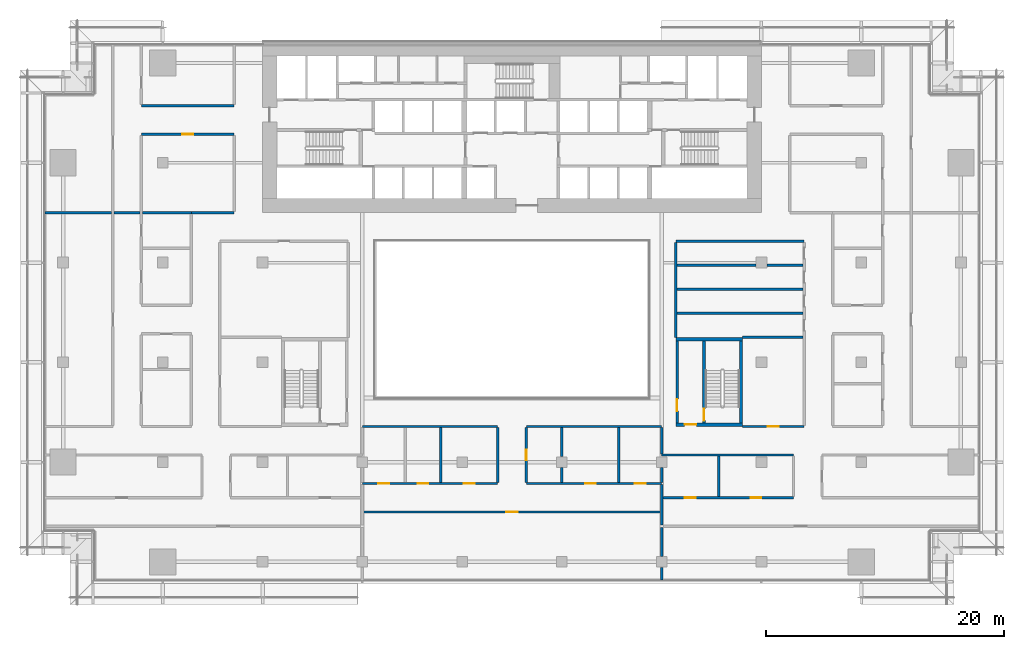
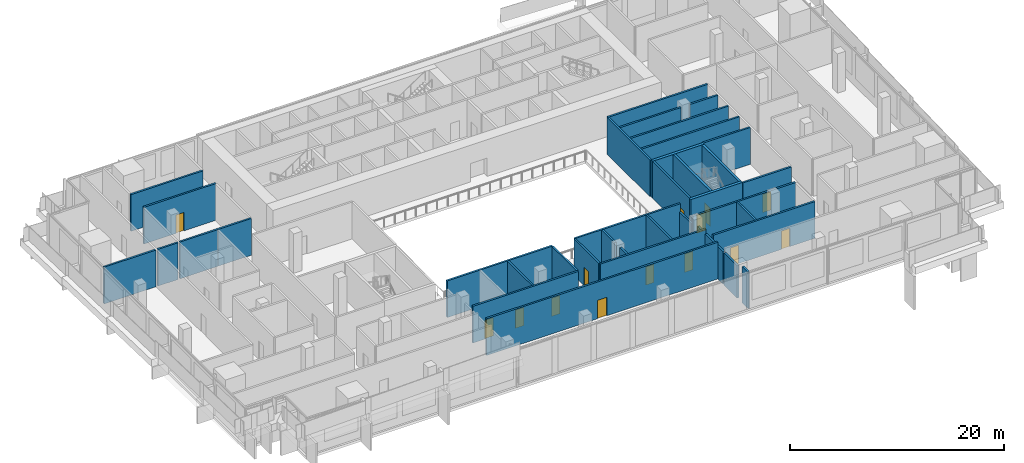
# One storey, part 14 of 23: 38 walls, 14 doors, 14 openings.
"""IFC4 building model written with IfcOpenShell, lengths in metres."""

from ifc_helpers import new_model, si_unit, direction, frame, frame_2d, origin, place, context, subcontext, project, spatial, rectangle, extrude, material, layer, layer_set, type_object, element, fill, save


model = new_model("IFC4")

# Units and contexts
model_context = context("Model", 3, precision=1e-05, world=origin(), true_north=direction((0.0, 1.0)))
body_context = subcontext(model_context, "Body", "Model", "MODEL_VIEW")
ifc_project = project(units=[si_unit("LENGTHUNIT", "METRE"), si_unit("AREAUNIT", "SQUARE_METRE"), si_unit("VOLUMEUNIT", "CUBIC_METRE"), si_unit("PLANEANGLEUNIT", "RADIAN"), si_unit("MASSUNIT", "GRAM", prefix="KILO")], contexts=[model_context])

# Site, building, storey
site_placement = place(None, origin())
site = spatial("IfcSite", under=ifc_project, at=site_placement, CompositionType="ELEMENT")
building_placement = place(site_placement, origin())
building = spatial("IfcBuilding", under=site, at=building_placement, Name="Saffron Gate Tower", CompositionType="ELEMENT")
storey_placement = place(building_placement, frame((0.0, 0.0, 23.699951171875)))
storey = spatial("IfcBuildingStorey", under=building, at=storey_placement, Name="L04", CompositionType="ELEMENT", Elevation=23.699951171875)

# Wall, opening, door
ifc_material_1 = material(Name="Gypsum board partition on steel studs", Category="steel")
ifc_layer_1 = layer(ifc_material_1, 0.199951171875)
ifc_layer_set_1 = layer_set([ifc_layer_1], Name="CW10 Core partition 200")
wall_type_1 = type_object("IfcWallType", Name="CW10 Core partition 200", PredefinedType="PARTITIONING", material=ifc_layer_set_1)
wall_1_placement = place(storey_placement, frame((101.5, 43.5, 0.0), z_axis=(0.0, 0.0, 1.0), x_axis=(0.0, 1.0, 0.0)))
wall_1 = element("IfcWall", 1, at=wall_1_placement, inside=storey, type_object=wall_type_1, Name="Wall CW10-L04-E-2", PredefinedType="PARTITIONING", context=body_context, shape_type="SweptSolid", body=[
    extrude(rectangle(XDim=6.89990234375, YDim=0.199951171875, at=frame_2d((3.449951171875, 0.0))), origin(), (0.0, 0.0, 1.0), 4.199951171875),
])
opening_1_placement = place(wall_1_placement, frame((1.0, 0.0, 0.0)))
opening_1 = element("IfcOpeningElement", 2, at=opening_1_placement, cuts=wall_1, Name="Opening CR-22", PredefinedType="OPENING", context=body_context, shape_type="SweptSolid", body=[
    extrude(rectangle(XDim=1.0, YDim=2.10009765625, at=frame_2d((0.5, 1.050048828125))), frame((0.0, 0.10986328125, 0.0), z_axis=(0.0, -1.0, 0.0), x_axis=(1.0, 0.0, 0.0)), (0.0, 0.0, 1.0), 0.219970703125),
])
ifc_material_2 = material(Name="Steel fire door set", Category="steel")
door_type_1 = type_object("IfcDoorType", Name="CD4 Lobby door 1000x2100 EI 120", OperationType="NOTDEFINED", PredefinedType="DOOR", material=ifc_material_2)
door_1_placement = place(opening_1_placement, origin())
door_1 = element("IfcDoor", 3, at=door_1_placement, inside=storey, type_object=door_type_1, Name="DOOR CR-22", OperationType="SINGLE_SWING_LEFT", OverallHeight=2.10009765625, OverallWidth=1.0, PredefinedType="DOOR", context=body_context, shape_type="SweptSolid", body=[
    extrude(rectangle(XDim=1.0, YDim=2.10009765625, at=frame_2d((0.5, 1.050048828125))), frame((0.0, 0.02490234375, 0.0), z_axis=(0.0, -1.0, 0.0), x_axis=(1.0, 0.0, 0.0)), (0.0, 0.0, 1.0), 0.050048828125),
])
fill(opening_1, door_1)

ifc_material_3 = material(Name="Concrete C70", Category="concrete")
ifc_layer_2 = layer(ifc_material_3, 0.25)
ifc_layer_set_2 = layer_set([ifc_layer_2], Name="CW2 RC core wall 250 C70")
wall_type_2 = type_object("IfcWallType", Name="CW2 RC core wall 250 C70", PredefinedType="SOLIDWALL", material=ifc_layer_set_2)
wall_2_placement = place(storey_placement, frame((103.77490234375, 43.5, 0.0), z_axis=(0.0, 0.0, 1.0), x_axis=(0.0, 1.0, 0.0)))
wall_2 = element("IfcWall", 4, at=wall_2_placement, inside=storey, type_object=wall_type_2, Name="Wall CW2-L04-E-3", PredefinedType="SOLIDWALL", context=body_context, shape_type="SweptSolid", body=[
    extrude(rectangle(XDim=6.89990234375, YDim=0.25, at=frame_2d((3.449951171875, 0.0))), origin(), (0.0, 0.0, 1.0), 4.199951171875),
])
opening_2_placement = place(wall_2_placement, frame((0.199951171875, 0.0, 0.0)))
opening_2 = element("IfcOpeningElement", 5, at=opening_2_placement, cuts=wall_2, Name="Opening CR-23", PredefinedType="OPENING", context=body_context, shape_type="SweptSolid", body=[
    extrude(rectangle(XDim=1.0, YDim=2.10009765625, at=frame_2d((0.5, 1.050048828125))), frame((0.0, 0.135009765625, 0.0), z_axis=(0.0, -1.0, 0.0), x_axis=(1.0, 0.0, 0.0)), (0.0, 0.0, 1.0), 0.27001953125),
])
door_type_2 = type_object("IfcDoorType", Name="CD5 Stair door 1000x2100 EI 120", OperationType="NOTDEFINED", PredefinedType="DOOR", material=ifc_material_2)
door_2_placement = place(opening_2_placement, origin())
door_2 = element("IfcDoor", 6, at=door_2_placement, inside=storey, type_object=door_type_2, Name="DOOR CR-23", OperationType="SINGLE_SWING_RIGHT", OverallHeight=2.10009765625, OverallWidth=1.0, PredefinedType="DOOR", context=body_context, shape_type="SweptSolid", body=[
    extrude(rectangle(XDim=1.0, YDim=2.10009765625, at=frame_2d((0.5, 1.050048828125))), frame((0.0, 0.02490234375, 0.0), z_axis=(0.0, -1.0, 0.0), x_axis=(1.0, 0.0, 0.0)), (0.0, 0.0, 1.0), 0.050048828125),
])
fill(opening_2, door_2)

# Wall
wall_3_placement = place(storey_placement, frame((106.875, 43.5, 0.0), z_axis=(0.0, 0.0, 1.0), x_axis=(0.0, 1.0, 0.0)))
element("IfcWall", 7, at=wall_3_placement, inside=storey, type_object=wall_type_2, Name="Wall CW2-L04-E-4", PredefinedType="SOLIDWALL", context=body_context, shape_type="SweptSolid", body=[
    extrude(rectangle(XDim=6.89990234375, YDim=0.25, at=frame_2d((3.449951171875, 0.0))), origin(), (0.0, 0.0, 1.0), 4.199951171875),
])

# Wall, opening, door
ifc_layer_3 = layer(ifc_material_3, 0.300048828125)
ifc_layer_set_3 = layer_set([ifc_layer_3], Name="CW5 RC core wall 300 C70")
wall_type_3 = type_object("IfcWallType", Name="CW5 RC core wall 300 C70", PredefinedType="SOLIDWALL", material=ifc_layer_set_3)
wall_4_placement = place(storey_placement, frame((101.39990234375, 43.35009765625, 0.0), z_axis=(0.0, 0.0, 1.0), x_axis=(1.0, 0.0, 0.0)))
wall_4 = element("IfcWall", 8, at=wall_4_placement, inside=storey, type_object=wall_type_3, Name="Wall CW5-L04-E-1", PredefinedType="SOLIDWALL", context=body_context, shape_type="SweptSolid", body=[
    extrude(rectangle(XDim=5.60009765625, YDim=0.300048828125, at=frame_2d((2.800048828125, 0.0))), origin(), (0.0, 0.0, 1.0), 4.199951171875),
])
opening_3_placement = place(wall_4_placement, frame((0.72509765625, 0.0, 0.0)))
opening_3 = element("IfcOpeningElement", 9, at=opening_3_placement, cuts=wall_4, Name="Opening CR-21", PredefinedType="OPENING", context=body_context, shape_type="SweptSolid", body=[
    extrude(rectangle(XDim=1.0, YDim=2.10009765625, at=frame_2d((0.5, 1.050048828125))), frame((0.0, 0.16015625, 0.0), z_axis=(0.0, -1.0, 0.0), x_axis=(1.0, 0.0, 0.0)), (0.0, 0.0, 1.0), 0.320068359375),
])
door_3_placement = place(opening_3_placement, origin())
door_3 = element("IfcDoor", 10, at=door_3_placement, inside=storey, type_object=door_type_1, Name="DOOR CR-21", OperationType="SINGLE_SWING_RIGHT", OverallHeight=2.10009765625, OverallWidth=1.0, PredefinedType="DOOR", context=body_context, shape_type="SweptSolid", body=[
    extrude(rectangle(XDim=1.0, YDim=2.10009765625, at=frame_2d((0.5, 1.050048828125))), frame((0.0, 0.02490234375, 0.0), z_axis=(0.0, -1.0, 0.0), x_axis=(1.0, 0.0, 0.0)), (0.0, 0.0, 1.0), 0.050048828125),
])
fill(opening_3, door_3)

# Walls
wall_5_placement = place(storey_placement, frame((101.39990234375, 50.550048828125, 0.0), z_axis=(0.0, 0.0, 1.0), x_axis=(1.0, 0.0, 0.0)))
element("IfcWall", 11, at=wall_5_placement, inside=storey, type_object=wall_type_3, Name="Wall CW5-L04-E-5", PredefinedType="SOLIDWALL", context=body_context, shape_type="SweptSolid", body=[
    extrude(rectangle(XDim=5.60009765625, YDim=0.300048828125, at=frame_2d((2.800048828125, 0.0))), origin(), (0.0, 0.0, 1.0), 4.199951171875),
])
ifc_material_4 = material(Name="Clay brick masonry, rendered", Category="masonry")
ifc_layer_4 = layer(ifc_material_4, 0.199951171875)
ifc_layer_set_4 = layer_set([ifc_layer_4], Name="PW2 Demising wall 200")
wall_type_4 = type_object("IfcWallType", Name="PW2 Demising wall 200", PredefinedType="PARTITIONING", material=ifc_layer_set_4)
wall_6_placement = place(storey_placement, frame((107.0, 50.699951171875, 0.0), z_axis=(0.0, 0.0, 1.0), x_axis=(1.0, 0.0, 0.0)))
element("IfcWall", 12, at=wall_6_placement, inside=storey, type_object=wall_type_4, Name="Wall S2-26", PredefinedType="PARTITIONING", context=body_context, shape_type="SweptSolid", body=[
    extrude(rectangle(XDim=5.10009765625, YDim=0.199951171875, at=frame_2d((2.550048828125, 0.0))), origin(), (0.0, 0.0, 1.0), 4.199951171875),
])
for number, where, z_axis, x_axis, name in (
    (13, (101.5, 52.72509765625, 0.0), (0.0, 0.0, 1.0), (1.0, 0.0, 0.0), "Wall S2-30"),
    (14, (101.5, 54.75, 0.0), (0.0, 0.0, 1.0), (1.0, 0.0, 0.0), "Wall S2-33"),
):
    element("IfcWall", number, at=place(storey_placement, frame(where, z_axis=z_axis, x_axis=x_axis)), inside=storey, type_object=wall_type_4, Name=name, PredefinedType="PARTITIONING", context=body_context, shape_type="SweptSolid", body=[
        extrude(rectangle(XDim=10.60009765625, YDim=0.199951171875, at=frame_2d((5.300048828125, 0.0))), origin(), (0.0, 0.0, 1.0), 4.199951171875),
    ])
wall_7_placement = place(storey_placement, frame((101.5, 56.77490234375, 0.0), z_axis=(0.0, 0.0, 1.0), x_axis=(1.0, 0.0, 0.0)))
element("IfcWall", 15, at=wall_7_placement, inside=storey, type_object=wall_type_4, Name="Wall S2-34", PredefinedType="PARTITIONING", context=body_context, shape_type="SweptSolid", body=[
    extrude(rectangle(XDim=6.6298828125, YDim=0.199951171875, at=frame_2d((3.31494140625, 0.0))), origin(), (0.0, 0.0, 1.0), 4.199951171875),
])
wall_8_placement = place(storey_placement, frame((109.070068359375, 56.77490234375, 0.0), z_axis=(0.0, 0.0, 1.0), x_axis=(1.0, 0.0, 0.0)))
element("IfcWall", 16, at=wall_8_placement, inside=storey, type_object=wall_type_4, Name="Wall S2-35", PredefinedType="PARTITIONING", context=body_context, shape_type="SweptSolid", body=[
    extrude(rectangle(XDim=3.030029296875, YDim=0.199951171875, at=frame_2d((1.51513671875, 0.0))), origin(), (0.0, 0.0, 1.0), 4.199951171875),
])

# Wall, opening, door
ifc_layer_5 = layer(ifc_material_4, 0.199951171875)
ifc_layer_set_5 = layer_set([ifc_layer_5], Name="PW3 Corridor wall 200")
wall_type_5 = type_object("IfcWallType", Name="PW3 Corridor wall 200", PredefinedType="PARTITIONING", material=ifc_layer_set_5)
wall_9_placement = place(storey_placement, frame((100.10009765625, 36.0, 0.0), z_axis=(0.0, 0.0, 1.0), x_axis=(-1.0, 0.0, 0.0)))
wall_9 = element("IfcWall", 17, at=wall_9_placement, inside=storey, type_object=wall_type_5, Name="Wall S2-3", PredefinedType="PARTITIONING", context=body_context, shape_type="SweptSolid", body=[
    extrude(rectangle(XDim=25.0, YDim=0.199951171875, at=frame_2d((12.5, 0.0))), origin(), (0.0, 0.0, 1.0), 4.199951171875),
])
opening_4_placement = place(wall_9_placement, frame((12.0, 0.0, 0.0)))
opening_4 = element("IfcOpeningElement", 18, at=opening_4_placement, cuts=wall_9, Name="Opening S2-33", PredefinedType="OPENING", context=body_context, shape_type="SweptSolid", body=[
    extrude(rectangle(XDim=1.0, YDim=2.10009765625, at=frame_2d((0.5, 1.050048828125))), frame((0.0, 0.10986328125, 0.0), z_axis=(0.0, -1.0, 0.0), x_axis=(1.0, 0.0, 0.0)), (0.0, 0.0, 1.0), 0.219970703125),
])
ifc_material_5 = material(Name="Timber door set", Category="wood")
door_type_3 = type_object("IfcDoorType", Name="HD1 Hall door 1200x2100", OperationType="NOTDEFINED", PredefinedType="DOOR", material=ifc_material_5)
door_4_placement = place(opening_4_placement, origin())
door_4 = element("IfcDoor", 19, at=door_4_placement, inside=storey, type_object=door_type_3, Name="Door S2-33", OperationType="SINGLE_SWING_RIGHT", OverallHeight=2.10009765625, OverallWidth=1.0, PredefinedType="DOOR", context=body_context, shape_type="SweptSolid", body=[
    extrude(rectangle(XDim=1.0, YDim=2.10009765625, at=frame_2d((0.5, 1.050048828125))), frame((0.0, 0.02490234375, 0.0), z_axis=(0.0, -1.0, 0.0), x_axis=(1.0, 0.0, 0.0)), (0.0, 0.0, 1.0), 0.050048828125),
])
fill(opening_4, door_4)

# Wall, openings, doors
wall_10_placement = place(storey_placement, frame((100.300048828125, 37.199951171875, 0.0), z_axis=(0.0, 0.0, 1.0), x_axis=(1.0, 0.0, 0.0)))
wall_10 = element("IfcWall", 20, at=wall_10_placement, inside=storey, type_object=wall_type_5, Name="Wall S2-6", PredefinedType="PARTITIONING", context=body_context, shape_type="SweptSolid", body=[
    extrude(rectangle(XDim=11.0, YDim=0.199951171875, at=frame_2d((5.5, 0.0))), origin(), (0.0, 0.0, 1.0), 4.199951171875),
])
opening_5_placement = place(wall_10_placement, frame((1.85009765625, 0.0, 0.0)))
opening_5 = element("IfcOpeningElement", 21, at=opening_5_placement, cuts=wall_10, Name="Opening S2-15", PredefinedType="OPENING", context=body_context, shape_type="SweptSolid", body=[
    extrude(rectangle(XDim=0.89990234375, YDim=2.10009765625, at=frame_2d((0.449951171875, 1.050048828125))), frame((0.0, 0.10986328125, 0.0), z_axis=(0.0, -1.0, 0.0), x_axis=(1.0, 0.0, 0.0)), (0.0, 0.0, 1.0), 0.219970703125),
])
opening_6_placement = place(wall_10_placement, frame((7.39990234375, 0.0, 0.0)))
opening_6 = element("IfcOpeningElement", 22, at=opening_6_placement, cuts=wall_10, Name="Opening S2-16", PredefinedType="OPENING", context=body_context, shape_type="SweptSolid", body=[
    extrude(rectangle(XDim=0.89990234375, YDim=2.10009765625, at=frame_2d((0.449951171875, 1.050048828125))), frame((0.0, 0.10986328125, 0.0), z_axis=(0.0, -1.0, 0.0), x_axis=(1.0, 0.0, 0.0)), (0.0, 0.0, 1.0), 0.219970703125),
])
door_type_4 = type_object("IfcDoorType", Name="RD1 Room door 900x2100", OperationType="NOTDEFINED", PredefinedType="DOOR", material=ifc_material_5)
door_5_placement = place(opening_5_placement, origin())
door_5 = element("IfcDoor", 23, at=door_5_placement, inside=storey, type_object=door_type_4, Name="Door S2-15", OperationType="SINGLE_SWING_LEFT", OverallHeight=2.10009765625, OverallWidth=0.89990234375, PredefinedType="DOOR", context=body_context, shape_type="SweptSolid", body=[
    extrude(rectangle(XDim=0.89990234375, YDim=2.10009765625, at=frame_2d((0.449951171875, 1.050048828125))), frame((0.0, 0.02490234375, 0.0), z_axis=(0.0, -1.0, 0.0), x_axis=(1.0, 0.0, 0.0)), (0.0, 0.0, 1.0), 0.050048828125),
])
fill(opening_5, door_5)
door_6_placement = place(opening_6_placement, origin())
door_6 = element("IfcDoor", 24, at=door_6_placement, inside=storey, type_object=door_type_4, Name="Door S2-16", OperationType="SINGLE_SWING_LEFT", OverallHeight=2.10009765625, OverallWidth=0.89990234375, PredefinedType="DOOR", context=body_context, shape_type="SweptSolid", body=[
    extrude(rectangle(XDim=0.89990234375, YDim=2.10009765625, at=frame_2d((0.449951171875, 1.050048828125))), frame((0.0, 0.02490234375, 0.0), z_axis=(0.0, -1.0, 0.0), x_axis=(1.0, 0.0, 0.0)), (0.0, 0.0, 1.0), 0.050048828125),
])
fill(opening_6, door_6)

wall_11_placement = place(storey_placement, frame((75.0, 38.39990234375, 0.0), z_axis=(0.0, 0.0, 1.0), x_axis=(1.0, 0.0, 0.0)))
wall_11 = element("IfcWall", 25, at=wall_11_placement, inside=storey, type_object=wall_type_5, Name="Wall S2-8", PredefinedType="PARTITIONING", context=body_context, shape_type="SweptSolid", body=[
    extrude(rectangle(XDim=11.39990234375, YDim=0.199951171875, at=frame_2d((5.699951171875, 0.0))), origin(), (0.0, 0.0, 1.0), 4.199951171875),
])
opening_7_placement = place(wall_11_placement, frame((1.35009765625, 0.0, 0.0)))
opening_7 = element("IfcOpeningElement", 26, at=opening_7_placement, cuts=wall_11, Name="Opening S2-9", PredefinedType="OPENING", context=body_context, shape_type="SweptSolid", body=[
    extrude(rectangle(XDim=0.89990234375, YDim=2.10009765625, at=frame_2d((0.449951171875, 1.050048828125))), frame((0.0, 0.10986328125, 0.0), z_axis=(0.0, -1.0, 0.0), x_axis=(1.0, 0.0, 0.0)), (0.0, 0.0, 1.0), 0.219970703125),
])
opening_8_placement = place(wall_11_placement, frame((4.64990234375, 0.0, 0.0)))
opening_8 = element("IfcOpeningElement", 27, at=opening_8_placement, cuts=wall_11, Name="Opening S2-10", PredefinedType="OPENING", context=body_context, shape_type="SweptSolid", body=[
    extrude(rectangle(XDim=0.89990234375, YDim=2.10009765625, at=frame_2d((0.449951171875, 1.050048828125))), frame((0.0, 0.10986328125, 0.0), z_axis=(0.0, -1.0, 0.0), x_axis=(1.0, 0.0, 0.0)), (0.0, 0.0, 1.0), 0.219970703125),
])
opening_9_placement = place(wall_11_placement, frame((8.550048828125, 0.0, 0.0)))
opening_9 = element("IfcOpeningElement", 28, at=opening_9_placement, cuts=wall_11, Name="Opening S2-11", PredefinedType="OPENING", context=body_context, shape_type="SweptSolid", body=[
    extrude(rectangle(XDim=0.89990234375, YDim=2.10009765625, at=frame_2d((0.449951171875, 1.050048828125))), frame((0.0, 0.10986328125, 0.0), z_axis=(0.0, -1.0, 0.0), x_axis=(1.0, 0.0, 0.0)), (0.0, 0.0, 1.0), 0.219970703125),
])
door_7_placement = place(opening_7_placement, origin())
door_7 = element("IfcDoor", 29, at=door_7_placement, inside=storey, type_object=door_type_4, Name="Door S2-9", OperationType="SINGLE_SWING_LEFT", OverallHeight=2.10009765625, OverallWidth=0.89990234375, PredefinedType="DOOR", context=body_context, shape_type="SweptSolid", body=[
    extrude(rectangle(XDim=0.89990234375, YDim=2.10009765625, at=frame_2d((0.449951171875, 1.050048828125))), frame((0.0, 0.02490234375, 0.0), z_axis=(0.0, -1.0, 0.0), x_axis=(1.0, 0.0, 0.0)), (0.0, 0.0, 1.0), 0.050048828125),
])
fill(opening_7, door_7)
door_8_placement = place(opening_8_placement, origin())
door_8 = element("IfcDoor", 30, at=door_8_placement, inside=storey, type_object=door_type_4, Name="Door S2-10", OperationType="SINGLE_SWING_LEFT", OverallHeight=2.10009765625, OverallWidth=0.89990234375, PredefinedType="DOOR", context=body_context, shape_type="SweptSolid", body=[
    extrude(rectangle(XDim=0.89990234375, YDim=2.10009765625, at=frame_2d((0.449951171875, 1.050048828125))), frame((0.0, 0.02490234375, 0.0), z_axis=(0.0, -1.0, 0.0), x_axis=(1.0, 0.0, 0.0)), (0.0, 0.0, 1.0), 0.050048828125),
])
fill(opening_8, door_8)
door_9_placement = place(opening_9_placement, origin())
door_9 = element("IfcDoor", 31, at=door_9_placement, inside=storey, type_object=door_type_4, Name="Door S2-11", OperationType="SINGLE_SWING_LEFT", OverallHeight=2.10009765625, OverallWidth=0.89990234375, PredefinedType="DOOR", context=body_context, shape_type="SweptSolid", body=[
    extrude(rectangle(XDim=0.89990234375, YDim=2.10009765625, at=frame_2d((0.449951171875, 1.050048828125))), frame((0.0, 0.02490234375, 0.0), z_axis=(0.0, -1.0, 0.0), x_axis=(1.0, 0.0, 0.0)), (0.0, 0.0, 1.0), 0.050048828125),
])
fill(opening_9, door_9)

wall_12_placement = place(storey_placement, frame((88.800048828125, 38.39990234375, 0.0), z_axis=(0.0, 0.0, 1.0), x_axis=(1.0, 0.0, 0.0)))
wall_12 = element("IfcWall", 32, at=wall_12_placement, inside=storey, type_object=wall_type_5, Name="Wall S2-9", PredefinedType="PARTITIONING", context=body_context, shape_type="SweptSolid", body=[
    extrude(rectangle(XDim=11.39990234375, YDim=0.199951171875, at=frame_2d((5.699951171875, 0.0))), origin(), (0.0, 0.0, 1.0), 4.199951171875),
])
opening_10_placement = place(wall_12_placement, frame((4.949951171875, 0.0, 0.0)))
opening_10 = element("IfcOpeningElement", 33, at=opening_10_placement, cuts=wall_12, Name="Opening S2-13", PredefinedType="OPENING", context=body_context, shape_type="SweptSolid", body=[
    extrude(rectangle(XDim=0.89990234375, YDim=2.10009765625, at=frame_2d((0.449951171875, 1.050048828125))), frame((0.0, 0.10986328125, 0.0), z_axis=(0.0, -1.0, 0.0), x_axis=(1.0, 0.0, 0.0)), (0.0, 0.0, 1.0), 0.219970703125),
])
opening_11_placement = place(wall_12_placement, frame((9.14990234375, 0.0, 0.0)))
opening_11 = element("IfcOpeningElement", 34, at=opening_11_placement, cuts=wall_12, Name="Opening S2-14", PredefinedType="OPENING", context=body_context, shape_type="SweptSolid", body=[
    extrude(rectangle(XDim=0.89990234375, YDim=2.10009765625, at=frame_2d((0.449951171875, 1.050048828125))), frame((0.0, 0.10986328125, 0.0), z_axis=(0.0, -1.0, 0.0), x_axis=(1.0, 0.0, 0.0)), (0.0, 0.0, 1.0), 0.219970703125),
])
door_10_placement = place(opening_10_placement, origin())
door_10 = element("IfcDoor", 35, at=door_10_placement, inside=storey, type_object=door_type_4, Name="Door S2-13", OperationType="SINGLE_SWING_RIGHT", OverallHeight=2.10009765625, OverallWidth=0.89990234375, PredefinedType="DOOR", context=body_context, shape_type="SweptSolid", body=[
    extrude(rectangle(XDim=0.89990234375, YDim=2.10009765625, at=frame_2d((0.449951171875, 1.050048828125))), frame((0.0, 0.02490234375, 0.0), z_axis=(0.0, -1.0, 0.0), x_axis=(1.0, 0.0, 0.0)), (0.0, 0.0, 1.0), 0.050048828125),
])
fill(opening_10, door_10)
door_11_placement = place(opening_11_placement, origin())
door_11 = element("IfcDoor", 36, at=door_11_placement, inside=storey, type_object=door_type_4, Name="Door S2-14", OperationType="SINGLE_SWING_LEFT", OverallHeight=2.10009765625, OverallWidth=0.89990234375, PredefinedType="DOOR", context=body_context, shape_type="SweptSolid", body=[
    extrude(rectangle(XDim=0.89990234375, YDim=2.10009765625, at=frame_2d((0.449951171875, 1.050048828125))), frame((0.0, 0.02490234375, 0.0), z_axis=(0.0, -1.0, 0.0), x_axis=(1.0, 0.0, 0.0)), (0.0, 0.0, 1.0), 0.050048828125),
])
fill(opening_11, door_11)

# Walls
wall_13_placement = place(storey_placement, frame((100.199951171875, 40.800048828125, 0.0), z_axis=(0.0, 0.0, 1.0), x_axis=(1.0, 0.0, 0.0)))
element("IfcWall", 37, at=wall_13_placement, inside=storey, type_object=wall_type_5, Name="Wall S2-13", PredefinedType="PARTITIONING", context=body_context, shape_type="SweptSolid", body=[
    extrude(rectangle(XDim=11.10009765625, YDim=0.199951171875, at=frame_2d((5.550048828125, 0.0))), origin(), (0.0, 0.0, 1.0), 4.199951171875),
])
for number, where, z_axis, x_axis, name in (
    (38, (75.0, 43.199951171875, 0.0), (0.0, 0.0, 1.0), (1.0, 0.0, 0.0), "Wall S2-19"),
    (39, (88.800048828125, 43.199951171875, 0.0), (0.0, 0.0, 1.0), (1.0, 0.0, 0.0), "Wall S2-20"),
):
    element("IfcWall", number, at=place(storey_placement, frame(where, z_axis=z_axis, x_axis=x_axis)), inside=storey, type_object=wall_type_5, Name=name, PredefinedType="PARTITIONING", context=body_context, shape_type="SweptSolid", body=[
        extrude(rectangle(XDim=11.39990234375, YDim=0.199951171875, at=frame_2d((5.699951171875, 0.0))), origin(), (0.0, 0.0, 1.0), 4.199951171875),
    ])

# Wall, opening, door
wall_14_placement = place(storey_placement, frame((107.0, 43.199951171875, 0.0), z_axis=(0.0, 0.0, 1.0), x_axis=(1.0, 0.0, 0.0)))
wall_14 = element("IfcWall", 40, at=wall_14_placement, inside=storey, type_object=wall_type_5, Name="Wall S2-21", PredefinedType="PARTITIONING", context=body_context, shape_type="SweptSolid", body=[
    extrude(rectangle(XDim=5.199951171875, YDim=0.199951171875, at=frame_2d((2.60009765625, 0.0))), origin(), (0.0, 0.0, 1.0), 4.199951171875),
])
opening_12_placement = place(wall_14_placement, frame((2.14990234375, 0.0, 0.0)))
opening_12 = element("IfcOpeningElement", 41, at=opening_12_placement, cuts=wall_14, Name="Opening S2-30", PredefinedType="OPENING", context=body_context, shape_type="SweptSolid", body=[
    extrude(rectangle(XDim=0.89990234375, YDim=2.10009765625, at=frame_2d((0.449951171875, 1.050048828125))), frame((0.0, 0.10986328125, 0.0), z_axis=(0.0, -1.0, 0.0), x_axis=(1.0, 0.0, 0.0)), (0.0, 0.0, 1.0), 0.219970703125),
])
door_type_5 = type_object("IfcDoorType", Name="SD1 Service door 900x2100", OperationType="NOTDEFINED", PredefinedType="DOOR", material=ifc_material_2)
door_12_placement = place(opening_12_placement, origin())
door_12 = element("IfcDoor", 42, at=door_12_placement, inside=storey, type_object=door_type_5, Name="Door S2-30", OperationType="SINGLE_SWING_LEFT", OverallHeight=2.10009765625, OverallWidth=0.89990234375, PredefinedType="DOOR", context=body_context, shape_type="SweptSolid", body=[
    extrude(rectangle(XDim=0.89990234375, YDim=2.10009765625, at=frame_2d((0.449951171875, 1.050048828125))), frame((0.0, 0.02490234375, 0.0), z_axis=(0.0, -1.0, 0.0), x_axis=(1.0, 0.0, 0.0)), (0.0, 0.0, 1.0), 0.050048828125),
])
fill(opening_12, door_12)

# Walls
wall_15_placement = place(storey_placement, frame((101.39990234375, 58.800048828125, 0.0), z_axis=(0.0, 0.0, 1.0), x_axis=(1.0, 0.0, 0.0)))
element("IfcWall", 43, at=wall_15_placement, inside=storey, type_object=wall_type_5, Name="Wall S2-39", PredefinedType="PARTITIONING", context=body_context, shape_type="SweptSolid", body=[
    extrude(rectangle(XDim=10.800048828125, YDim=0.199951171875, at=frame_2d((5.39990234375, 0.0))), origin(), (0.0, 0.0, 1.0), 4.199951171875),
])
wall_16_placement = place(storey_placement, frame((54.10009765625, 61.199951171875, 0.0), z_axis=(0.0, 0.0, 1.0), x_axis=(1.0, 0.0, 0.0)))
element("IfcWall", 44, at=wall_16_placement, inside=storey, type_object=wall_type_5, Name="Wall S2-40", PredefinedType="PARTITIONING", context=body_context, shape_type="SweptSolid", body=[
    extrude(rectangle(XDim=2.199951171875, YDim=0.199951171875, at=frame_2d((1.10009765625, 0.0))), origin(), (0.0, 0.0, 1.0), 4.199951171875),
])
wall_17_placement = place(storey_placement, frame((60.60009765625, 61.199951171875, 0.0), z_axis=(0.0, 0.0, 1.0), x_axis=(1.0, 0.0, 0.0)))
element("IfcWall", 45, at=wall_17_placement, inside=storey, type_object=wall_type_5, Name="Wall S2-41", PredefinedType="PARTITIONING", context=body_context, shape_type="SweptSolid", body=[
    extrude(rectangle(XDim=3.599853515625, YDim=0.199951171875, at=frame_2d((1.7998046875, 0.0))), origin(), (0.0, 0.0, 1.0), 4.199951171875),
])

# Wall, opening, door
wall_18_placement = place(storey_placement, frame((64.199951171875, 67.800048828125, 0.0), z_axis=(0.0, 0.0, 1.0), x_axis=(-1.0, 0.0, 0.0)))
wall_18 = element("IfcWall", 46, at=wall_18_placement, inside=storey, type_object=wall_type_5, Name="Wall S2-48", PredefinedType="PARTITIONING", context=body_context, shape_type="SweptSolid", body=[
    extrude(rectangle(XDim=7.800048828125, YDim=0.199951171875, at=frame_2d((3.89990234375, 0.0))), origin(), (0.0, 0.0, 1.0), 4.199951171875),
])
opening_13_placement = place(wall_18_placement, frame((3.449951171875, 0.0, 0.0)))
opening_13 = element("IfcOpeningElement", 47, at=opening_13_placement, cuts=wall_18, Name="Opening S2-22", PredefinedType="OPENING", context=body_context, shape_type="SweptSolid", body=[
    extrude(rectangle(XDim=0.89990234375, YDim=2.10009765625, at=frame_2d((0.449951171875, 1.050048828125))), frame((0.0, 0.10986328125, 0.0), z_axis=(0.0, -1.0, 0.0), x_axis=(1.0, 0.0, 0.0)), (0.0, 0.0, 1.0), 0.219970703125),
])
door_13_placement = place(opening_13_placement, origin())
door_13 = element("IfcDoor", 48, at=door_13_placement, inside=storey, type_object=door_type_4, Name="Door S2-22", OperationType="SINGLE_SWING_RIGHT", OverallHeight=2.10009765625, OverallWidth=0.89990234375, PredefinedType="DOOR", context=body_context, shape_type="SweptSolid", body=[
    extrude(rectangle(XDim=0.89990234375, YDim=2.10009765625, at=frame_2d((0.449951171875, 1.050048828125))), frame((0.0, 0.02490234375, 0.0), z_axis=(0.0, -1.0, 0.0), x_axis=(1.0, 0.0, 0.0)), (0.0, 0.0, 1.0), 0.050048828125),
])
fill(opening_13, door_13)

# Walls
wall_19_placement = place(storey_placement, frame((56.39990234375, 70.199951171875, 0.0), z_axis=(0.0, 0.0, 1.0), x_axis=(1.0, 0.0, 0.0)))
element("IfcWall", 49, at=wall_19_placement, inside=storey, type_object=wall_type_5, Name="Wall S2-50", PredefinedType="PARTITIONING", context=body_context, shape_type="SweptSolid", body=[
    extrude(rectangle(XDim=7.800048828125, YDim=0.199951171875, at=frame_2d((3.89990234375, 0.0))), origin(), (0.0, 0.0, 1.0), 4.199951171875),
])
wall_20_placement = place(storey_placement, frame((86.39990234375, 43.10009765625, 0.0), z_axis=(0.0, 0.0, 1.0), x_axis=(0.0, -1.0, 0.0)))
element("IfcWall", 50, at=wall_20_placement, inside=storey, type_object=wall_type_5, Name="Wall S2-72", PredefinedType="PARTITIONING", context=body_context, shape_type="SweptSolid", body=[
    extrude(rectangle(XDim=4.60009765625, YDim=0.199951171875, at=frame_2d((2.300048828125, 0.0))), origin(), (0.0, 0.0, 1.0), 4.199951171875),
])

# Wall, opening, door
wall_21_placement = place(storey_placement, frame((88.800048828125, 43.10009765625, 0.0), z_axis=(0.0, 0.0, 1.0), x_axis=(0.0, -1.0, 0.0)))
wall_21 = element("IfcWall", 51, at=wall_21_placement, inside=storey, type_object=wall_type_5, Name="Wall S2-73", PredefinedType="PARTITIONING", context=body_context, shape_type="SweptSolid", body=[
    extrude(rectangle(XDim=4.60009765625, YDim=0.199951171875, at=frame_2d((2.300048828125, 0.0))), origin(), (0.0, 0.0, 1.0), 4.199951171875),
])
opening_14_placement = place(wall_21_placement, frame((1.85009765625, 0.0, 0.0)))
opening_14 = element("IfcOpeningElement", 52, at=opening_14_placement, cuts=wall_21, Name="Opening S2-12", PredefinedType="OPENING", context=body_context, shape_type="SweptSolid", body=[
    extrude(rectangle(XDim=0.89990234375, YDim=2.10009765625, at=frame_2d((0.449951171875, 1.050048828125))), frame((0.0, 0.10986328125, 0.0), z_axis=(0.0, -1.0, 0.0), x_axis=(1.0, 0.0, 0.0)), (0.0, 0.0, 1.0), 0.219970703125),
])
door_14_placement = place(opening_14_placement, origin())
door_14 = element("IfcDoor", 53, at=door_14_placement, inside=storey, type_object=door_type_4, Name="Door S2-12", OperationType="SINGLE_SWING_RIGHT", OverallHeight=2.10009765625, OverallWidth=0.89990234375, PredefinedType="DOOR", context=body_context, shape_type="SweptSolid", body=[
    extrude(rectangle(XDim=0.89990234375, YDim=2.10009765625, at=frame_2d((0.449951171875, 1.050048828125))), frame((0.0, 0.02490234375, 0.0), z_axis=(0.0, -1.0, 0.0), x_axis=(1.0, 0.0, 0.0)), (0.0, 0.0, 1.0), 0.050048828125),
])
fill(opening_14, door_14)

# Walls
wall_22_placement = place(storey_placement, frame((100.199951171875, 38.300048828125, 0.0), z_axis=(0.0, 0.0, 1.0), x_axis=(0.0, -1.0, 0.0)))
element("IfcWall", 54, at=wall_22_placement, inside=storey, type_object=wall_type_5, Name="Wall S2-77", PredefinedType="PARTITIONING", context=body_context, shape_type="SweptSolid", body=[
    extrude(rectangle(XDim=3.400146484375, YDim=0.199951171875, at=frame_2d((1.7001953125, 0.0))), origin(), (0.0, 0.0, 1.0), 3.699951171875),
])
wall_23_placement = place(storey_placement, frame((100.199951171875, 43.10009765625, 0.0), z_axis=(0.0, 0.0, 1.0), x_axis=(0.0, -1.0, 0.0)))
element("IfcWall", 55, at=wall_23_placement, inside=storey, type_object=wall_type_5, Name="Wall S2-78", PredefinedType="PARTITIONING", context=body_context, shape_type="SweptSolid", body=[
    extrude(rectangle(XDim=2.2001953125, YDim=0.199951171875, at=frame_2d((1.10009765625, 0.0))), origin(), (0.0, 0.0, 1.0), 3.300048828125),
])
wall_24_placement = place(storey_placement, frame((101.39990234375, 58.699951171875, 0.0), z_axis=(0.0, 0.0, 1.0), x_axis=(0.0, -1.0, 0.0)))
element("IfcWall", 56, at=wall_24_placement, inside=storey, type_object=wall_type_5, Name="Wall S2-82", PredefinedType="PARTITIONING", context=body_context, shape_type="SweptSolid", body=[
    extrude(rectangle(XDim=8.0, YDim=0.199951171875, at=frame_2d((4.0, 0.0))), origin(), (0.0, 0.0, 1.0), 4.199951171875),
])
ifc_layer_6 = layer(ifc_material_4, 0.199951171875)
ifc_layer_set_6 = layer_set([ifc_layer_6], Name="PW5 Room wall 200")
wall_type_6 = type_object("IfcWallType", Name="PW5 Room wall 200", PredefinedType="PARTITIONING", material=ifc_layer_set_6)
wall_25_placement = place(storey_placement, frame((48.280029296875, 61.199951171875, 0.0), z_axis=(0.0, 0.0, 1.0), x_axis=(1.0, 0.0, 0.0)))
element("IfcWall", 57, at=wall_25_placement, inside=storey, type_object=wall_type_6, Name="Wall S2-44", PredefinedType="PARTITIONING", context=body_context, shape_type="SweptSolid", body=[
    extrude(rectangle(XDim=5.619873046875, YDim=0.199951171875, at=frame_2d((2.81005859375, 0.0))), origin(), (0.0, 0.0, 1.0), 4.199951171875),
])
wall_26_placement = place(storey_placement, frame((56.5, 61.199951171875, 0.0), z_axis=(0.0, 0.0, 1.0), x_axis=(1.0, 0.0, 0.0)))
element("IfcWall", 58, at=wall_26_placement, inside=storey, type_object=wall_type_6, Name="Wall S2-45", PredefinedType="PARTITIONING", context=body_context, shape_type="SweptSolid", body=[
    extrude(rectangle(XDim=4.10009765625, YDim=0.199951171875, at=frame_2d((2.050048828125, 0.0))), origin(), (0.0, 0.0, 1.0), 4.199951171875),
])
wall_27_placement = place(storey_placement, frame((81.60009765625, 43.10009765625, 0.0), z_axis=(0.0, 0.0, 1.0), x_axis=(0.0, -1.0, 0.0)))
element("IfcWall", 59, at=wall_27_placement, inside=storey, type_object=wall_type_6, Name="Wall S2-71", PredefinedType="PARTITIONING", context=body_context, shape_type="SweptSolid", body=[
    extrude(rectangle(XDim=4.60009765625, YDim=0.199951171875, at=frame_2d((2.300048828125, 0.0))), origin(), (0.0, 0.0, 1.0), 4.199951171875),
])
wall_28_placement = place(storey_placement, frame((91.800048828125, 39.72998046875, 0.0), z_axis=(0.0, 0.0, 1.0), x_axis=(0.0, -1.0, 0.0)))
element("IfcWall", 60, at=wall_28_placement, inside=storey, type_object=wall_type_6, Name="Wall S2-74", PredefinedType="PARTITIONING", context=body_context, shape_type="SweptSolid", body=[
    extrude(rectangle(XDim=1.22998046875, YDim=0.199951171875, at=frame_2d((0.614990234375, 0.0))), origin(), (0.0, 0.0, 1.0), 4.199951171875),
])
wall_29_placement = place(storey_placement, frame((91.800048828125, 43.10009765625, 0.0), z_axis=(0.0, 0.0, 1.0), x_axis=(0.0, -1.0, 0.0)))
element("IfcWall", 61, at=wall_29_placement, inside=storey, type_object=wall_type_6, Name="Wall S2-75", PredefinedType="PARTITIONING", context=body_context, shape_type="SweptSolid", body=[
    extrude(rectangle(XDim=2.43017578125, YDim=0.199951171875, at=frame_2d((1.215087890625, 0.0))), origin(), (0.0, 0.0, 1.0), 4.199951171875),
])
wall_30_placement = place(storey_placement, frame((96.60009765625, 43.10009765625, 0.0), z_axis=(0.0, 0.0, 1.0), x_axis=(0.0, -1.0, 0.0)))
element("IfcWall", 62, at=wall_30_placement, inside=storey, type_object=wall_type_6, Name="Wall S2-76", PredefinedType="PARTITIONING", context=body_context, shape_type="SweptSolid", body=[
    extrude(rectangle(XDim=4.60009765625, YDim=0.199951171875, at=frame_2d((2.300048828125, 0.0))), origin(), (0.0, 0.0, 1.0), 4.199951171875),
])
wall_31_placement = place(storey_placement, frame((100.199951171875, 31.330078125, 0.0), z_axis=(0.0, 0.0, 1.0), x_axis=(0.0, -1.0, 0.0)))
element("IfcWall", 63, at=wall_31_placement, inside=storey, type_object=wall_type_6, Name="Wall S2-79", PredefinedType="PARTITIONING", context=body_context, shape_type="SweptSolid", body=[
    extrude(rectangle(XDim=1.050048828125, YDim=0.199951171875, at=frame_2d((0.52490234375, 0.0))), origin(), (0.0, 0.0, 1.0), 4.199951171875),
])
wall_32_placement = place(storey_placement, frame((100.199951171875, 34.699951171875, 0.0), z_axis=(0.0, 0.0, 1.0), x_axis=(0.0, -1.0, 0.0)))
element("IfcWall", 64, at=wall_32_placement, inside=storey, type_object=wall_type_6, Name="Wall S2-80", PredefinedType="PARTITIONING", context=body_context, shape_type="SweptSolid", body=[
    extrude(rectangle(XDim=2.429931640625, YDim=0.199951171875, at=frame_2d((1.21484375, 0.0))), origin(), (0.0, 0.0, 1.0), 3.699951171875),
])
wall_33_placement = place(storey_placement, frame((100.199951171875, 39.72998046875, 0.0), z_axis=(0.0, 0.0, 1.0), x_axis=(0.0, -1.0, 0.0)))
element("IfcWall", 65, at=wall_33_placement, inside=storey, type_object=wall_type_6, Name="Wall S2-81", PredefinedType="PARTITIONING", context=body_context, shape_type="SweptSolid", body=[
    extrude(rectangle(XDim=1.22998046875, YDim=0.199951171875, at=frame_2d((0.614990234375, 0.0))), origin(), (0.0, 0.0, 1.0), 3.699951171875),
])
wall_34_placement = place(storey_placement, frame((105.0, 40.699951171875, 0.0), z_axis=(0.0, 0.0, 1.0), x_axis=(0.0, -1.0, 0.0)))
element("IfcWall", 66, at=wall_34_placement, inside=storey, type_object=wall_type_6, Name="Wall S2-83", PredefinedType="PARTITIONING", context=body_context, shape_type="SweptSolid", body=[
    extrude(rectangle(XDim=3.39990234375, YDim=0.199951171875, at=frame_2d((1.699951171875, 0.0))), origin(), (0.0, 0.0, 1.0), 4.199951171875),
])

save(model, "model.ifc")
